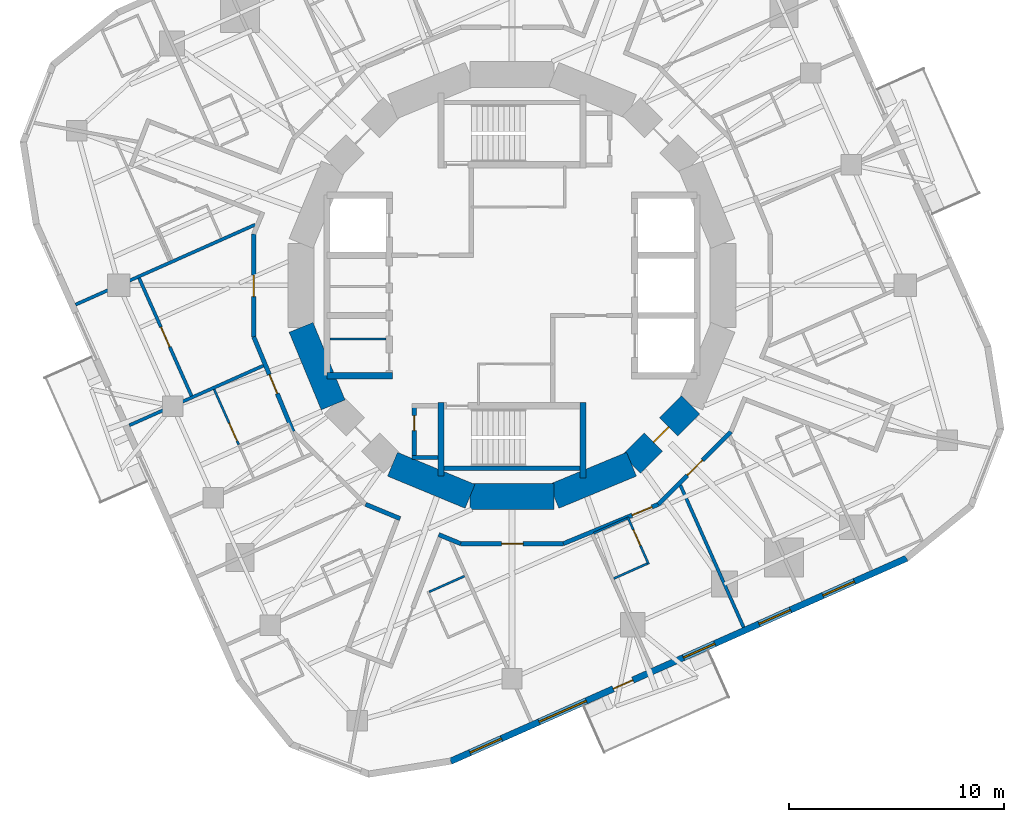
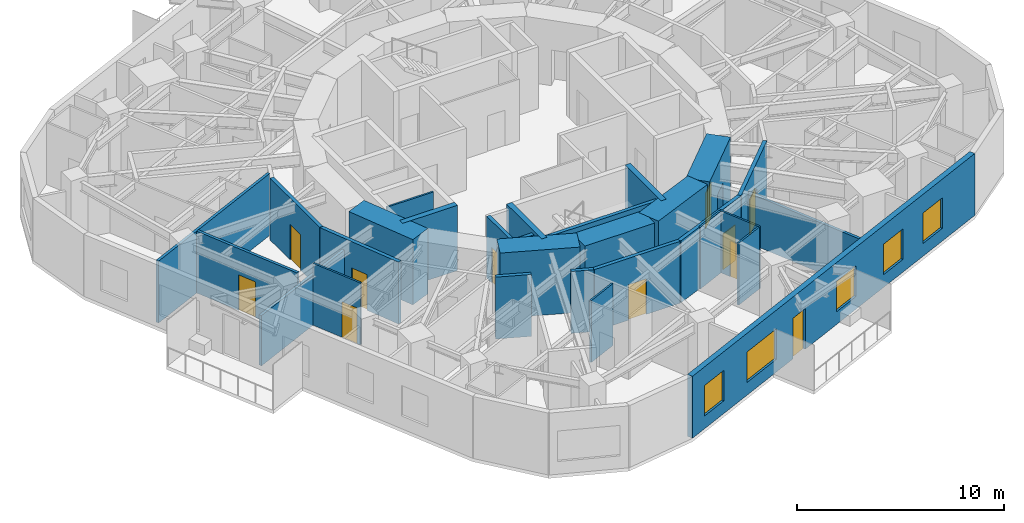
# One storey, part 5 of 12: 29 walls, 11 doors, 5 windows, 16 openings.
"""IFC4 building model written with IfcOpenShell, lengths in metres."""

from ifc_helpers import new_model, si_unit, direction, frame, frame_2d, origin, place, context, subcontext, project, spatial, rectangle, extrude, material, layer, layer_set, type_object, element, fill, save


model = new_model("IFC4")

# Units and contexts
model_context = context("Model", 3, precision=1e-05, world=origin(), true_north=direction((0.0, 1.0)))
body_context = subcontext(model_context, "Body", "Model", "MODEL_VIEW")
ifc_project = project(units=[si_unit("LENGTHUNIT", "METRE"), si_unit("AREAUNIT", "SQUARE_METRE"), si_unit("VOLUMEUNIT", "CUBIC_METRE"), si_unit("PLANEANGLEUNIT", "RADIAN"), si_unit("MASSUNIT", "GRAM", prefix="KILO")], contexts=[model_context])

# Site, building, storey
site_placement = place(None, origin())
site = spatial("IfcSite", under=ifc_project, at=site_placement, CompositionType="ELEMENT")
building_placement = place(site_placement, origin())
building = spatial("IfcBuilding", under=site, at=building_placement, Name="Nakasero Lantern House", CompositionType="ELEMENT")
storey_placement = place(building_placement, frame((0.0, 0.0, 209.39990234375)))
storey = spatial("IfcBuildingStorey", under=building, at=storey_placement, Name="L51", CompositionType="ELEMENT", Elevation=209.39990234375)

# Walls
ifc_material_1 = material(Name="Concrete C50/60", Category="concrete")
ifc_layer_1 = layer(ifc_material_1, 0.300048828125)
ifc_layer_set_1 = layer_set([ifc_layer_1], Name="Core inner wall 300")
wall_type_1 = type_object("IfcWallType", Name="Core inner wall 300", PredefinedType="SHEAR", material=ifc_layer_set_1)
wall_1_placement = place(storey_placement, frame((-8.60009765625, -4.199951171875, 0.0), z_axis=(0.0, 0.0, 1.0), x_axis=(1.0, 0.0, 0.0)))
element("IfcWall", 1, at=wall_1_placement, inside=storey, type_object=wall_type_1, Name="Core inner wall L51 LWS", PredefinedType="SHEAR", context=body_context, shape_type="SweptSolid", body=[
    extrude(rectangle(XDim=3.050048828125, YDim=0.300048828125, at=frame_2d((1.52490234375, 0.0))), origin(), (0.0, 0.0, 1.0), 3.85009765625),
])
wall_2_placement = place(storey_placement, frame((-3.300048828125, -5.449951171875, 0.0), z_axis=(0.0, 0.0, 1.0), x_axis=(0.0, -1.0, 0.0)))
element("IfcWall", 2, at=wall_2_placement, inside=storey, type_object=wall_type_1, Name="Core inner wall L51 SSW", PredefinedType="SHEAR", context=body_context, shape_type="SweptSolid", body=[
    extrude(rectangle(XDim=3.400146484375, YDim=0.300048828125, at=frame_2d((1.7001953125, 0.0))), origin(), (0.0, 0.0, 1.0), 3.85009765625),
])
wall_3_placement = place(storey_placement, frame((3.300048828125, -5.449951171875, 0.0), z_axis=(0.0, 0.0, 1.0), x_axis=(0.0, -1.0, 0.0)))
element("IfcWall", 3, at=wall_3_placement, inside=storey, type_object=wall_type_1, Name="Core inner wall L51 SSE", PredefinedType="SHEAR", context=body_context, shape_type="SweptSolid", body=[
    extrude(rectangle(XDim=3.5, YDim=0.300048828125, at=frame_2d((1.75, 0.0))), origin(), (0.0, 0.0, 1.0), 3.85009765625),
])
ifc_material_2 = material(Name="Blockwork", Category="masonry")
ifc_layer_2 = layer(ifc_material_2, 0.10009765625)
ifc_layer_set_2 = layer_set([ifc_layer_2], Name="Core room wall 100")
wall_type_2 = type_object("IfcWallType", Name="Core room wall 100", PredefinedType="PARTITIONING", material=ifc_layer_set_2)
wall_4_placement = place(storey_placement, frame((-8.449951171875, -2.5, 0.0), z_axis=(0.0, 0.0, 1.0), x_axis=(1.0, 0.0, 0.0)))
element("IfcWall", 4, at=wall_4_placement, inside=storey, type_object=wall_type_2, Name="Core room wall L51 CR-SH-LW1b", PredefinedType="PARTITIONING", context=body_context, shape_type="SweptSolid", body=[
    extrude(rectangle(XDim=2.599853515625, YDim=0.10009765625, at=frame_2d((1.2998046875, 0.0))), origin(), (0.0, 0.0, 1.0), 3.650146484375),
])
ifc_material_3 = material(Name="Concrete C50/60", Category="concrete")
ifc_layer_3 = layer(ifc_material_3, 1.199951171875)
ifc_layer_set_3 = layer_set([ifc_layer_3], Name="Core wall 1200")
wall_type_3 = type_object("IfcWallType", Name="Core wall 1200", PredefinedType="SHEAR", material=ifc_layer_set_3)
for number, where, z_axis, x_axis, name in (
    (5, (-9.807861328125, -1.950927734375, 0.0), (0.0, 0.0, 1.0), (0.382690736062, -0.923876507187, 0.0), "Core wall L51 facet 9"),
    (6, (-5.5556640625, -8.314697265625, 0.0), (0.0, 0.0, 1.0), (0.923876507187, -0.382690736062, 0.0), "Core wall L51 facet 11"),
    (7, (-1.950927734375, -9.807861328125, 0.0), (0.0, 0.0, 1.0), (1.0, 0.0, 0.0), "Core wall L51 facet 12"),
    (8, (1.950927734375, -9.807861328125, 0.0), (0.0, 0.0, 1.0), (0.923876507187, 0.382690736062, 0.0), "Core wall L51 facet 13"),
):
    element("IfcWall", number, at=place(storey_placement, frame(where, z_axis=z_axis, x_axis=x_axis)), inside=storey, type_object=wall_type_3, Name=name, PredefinedType="SHEAR", context=body_context, shape_type="SweptSolid", body=[
        extrude(rectangle(XDim=3.90185546875, YDim=1.199951171875, at=frame_2d((1.950927734375, 0.0))), origin(), (0.0, 0.0, 1.0), 3.85009765625),
    ])

# Wall, opening, door
wall_5_placement = place(storey_placement, frame((5.5556640625, -8.314697265625, 0.0), z_axis=(0.0, 0.0, 1.0), x_axis=(0.707106781187, 0.707106781187, 0.0)))
wall_5 = element("IfcWall", 9, at=wall_5_placement, inside=storey, type_object=wall_type_3, Name="Core wall L51 facet 14", PredefinedType="SHEAR", context=body_context, shape_type="SweptSolid", body=[
    extrude(rectangle(XDim=3.90185546875, YDim=1.199951171875, at=frame_2d((1.950927734375, 0.0))), origin(), (0.0, 0.0, 1.0), 3.85009765625),
])
opening_1_placement = place(wall_5_placement, frame((1.450927734375, 0.0, 0.0)))
opening_1 = element("IfcOpeningElement", 10, at=opening_1_placement, cuts=wall_5, Name="Opening D05", PredefinedType="OPENING", context=body_context, shape_type="SweptSolid", body=[
    extrude(rectangle(XDim=1.0, YDim=2.10009765625, at=frame_2d((0.5, 1.050048828125))), frame((0.0, 0.619873046875, 0.0), z_axis=(0.0, -1.0, 0.0), x_axis=(1.0, 0.0, 0.0)), (0.0, 0.0, 1.0), 1.239990234375),
])
ifc_material_4 = material(Name="Timber C24", Category="wood")
door_type_1 = type_object("IfcDoorType", Name="Core door FD60S 1000", OperationType="SINGLE_SWING_LEFT", PredefinedType="DOOR", material=ifc_material_4)
door_1_placement = place(opening_1_placement, origin())
door_1 = element("IfcDoor", 11, at=door_1_placement, inside=storey, type_object=door_type_1, Name="Door L51 D-CORE14", OperationType="SINGLE_SWING_LEFT", OverallHeight=2.10009765625, OverallWidth=1.0, PredefinedType="DOOR", context=body_context, shape_type="SweptSolid", body=[
    extrude(rectangle(XDim=1.0, YDim=2.10009765625, at=frame_2d((0.5, 1.050048828125))), frame((0.0, 0.02490234375, 0.0), z_axis=(0.0, -1.0, 0.0), x_axis=(1.0, 0.0, 0.0)), (0.0, 0.0, 1.0), 0.050048828125),
])
fill(opening_1, door_1)

ifc_material_5 = material(Name="Blockwork", Category="masonry")
ifc_layer_4 = layer(ifc_material_5, 0.199951171875)
ifc_layer_set_4 = layer_set([ifc_layer_4], Name="Corridor wall 200")
wall_type_4 = type_object("IfcWallType", Name="Corridor wall 200", PredefinedType="PARTITIONING", material=ifc_layer_set_4)
wall_6_placement = place(storey_placement, frame((10.1796875, -6.802001953125, 0.0), z_axis=(0.0, 0.0, 1.0), x_axis=(-0.707106781187, -0.707106781187, 0.0)))
wall_6 = element("IfcWall", 12, at=wall_6_placement, inside=storey, type_object=wall_type_4, Name="Corridor wall L51 RC02a", PredefinedType="PARTITIONING", context=body_context, shape_type="SweptSolid", body=[
    extrude(rectangle(XDim=4.77685546875, YDim=0.199951171875, at=frame_2d((2.388427734375, 0.0))), origin(), (0.0, 0.0, 1.0), 3.650146484375),
])
opening_2_placement = place(wall_6_placement, frame((1.8701171875, 0.0, 0.0)))
opening_2 = element("IfcOpeningElement", 13, at=opening_2_placement, cuts=wall_6, Name="Opening D14", PredefinedType="OPENING", context=body_context, shape_type="SweptSolid", body=[
    extrude(rectangle(XDim=1.0, YDim=2.10009765625, at=frame_2d((0.5, 1.050048828125))), frame((0.0, 0.119873046875, 0.0), z_axis=(0.0, -1.0, 0.0), x_axis=(1.0, 0.0, 0.0)), (0.0, 0.0, 1.0), 0.239990234375),
])
ifc_material_6 = material(Name="Timber C24", Category="wood")
door_type_2 = type_object("IfcDoorType", Name="Cluster entrance door FD30S 1000", OperationType="SINGLE_SWING_LEFT", PredefinedType="DOOR", material=ifc_material_6)
door_2_placement = place(opening_2_placement, origin())
door_2 = element("IfcDoor", 14, at=door_2_placement, inside=storey, type_object=door_type_2, Name="Door L51 D3-04", OperationType="SINGLE_SWING_LEFT", OverallHeight=2.10009765625, OverallWidth=1.0, PredefinedType="DOOR", context=body_context, shape_type="SweptSolid", body=[
    extrude(rectangle(XDim=1.0, YDim=2.10009765625, at=frame_2d((0.5, 1.050048828125))), frame((0.0, 0.02490234375, 0.0), z_axis=(0.0, -1.0, 0.0), x_axis=(1.0, 0.0, 0.0)), (0.0, 0.0, 1.0), 0.050048828125),
])
fill(opening_2, door_2)

wall_7_placement = place(storey_placement, frame((6.802001953125, -10.1796875, 0.0), z_axis=(0.0, 0.0, 1.0), x_axis=(-0.923882292998, -0.382676767893, 0.0)))
wall_7 = element("IfcWall", 15, at=wall_7_placement, inside=storey, type_object=wall_type_4, Name="Corridor wall L51 RC03a", PredefinedType="PARTITIONING", context=body_context, shape_type="SweptSolid", body=[
    extrude(rectangle(XDim=4.777099609375, YDim=0.199951171875, at=frame_2d((2.388671875, 0.0))), origin(), (0.0, 0.0, 1.0), 3.650146484375),
])
opening_3_placement = place(wall_7_placement, frame((0.320068359375, 0.0, 0.0)))
opening_3 = element("IfcOpeningElement", 16, at=opening_3_placement, cuts=wall_7, Name="Opening D07", PredefinedType="OPENING", context=body_context, shape_type="SweptSolid", body=[
    extrude(rectangle(XDim=1.0, YDim=2.10009765625, at=frame_2d((0.5, 1.050048828125))), frame((0.0, 0.119873046875, 0.0), z_axis=(0.0, -1.0, 0.0), x_axis=(1.0, 0.0, 0.0)), (0.0, 0.0, 1.0), 0.239990234375),
])
ifc_material_7 = material(Name="Timber C24", Category="wood")
door_type_3 = type_object("IfcDoorType", Name="Room door FD30S 1000", OperationType="SINGLE_SWING_LEFT", PredefinedType="DOOR", material=ifc_material_7)
door_3_placement = place(opening_3_placement, origin())
door_3 = element("IfcDoor", 17, at=door_3_placement, inside=storey, type_object=door_type_3, Name="Door L51 D3-03", OperationType="SINGLE_SWING_LEFT", OverallHeight=2.10009765625, OverallWidth=1.0, PredefinedType="DOOR", context=body_context, shape_type="SweptSolid", body=[
    extrude(rectangle(XDim=1.0, YDim=2.10009765625, at=frame_2d((0.5, 1.050048828125))), frame((0.0, 0.02490234375, 0.0), z_axis=(0.0, -1.0, 0.0), x_axis=(1.0, 0.0, 0.0)), (0.0, 0.0, 1.0), 0.050048828125),
])
fill(opening_3, door_3)

wall_8_placement = place(storey_placement, frame((2.388427734375, -12.0078125, 0.0), z_axis=(0.0, 0.0, 1.0), x_axis=(-1.0, 0.0, 0.0)))
wall_8 = element("IfcWall", 18, at=wall_8_placement, inside=storey, type_object=wall_type_4, Name="Corridor wall L51 RC04a", PredefinedType="PARTITIONING", context=body_context, shape_type="SweptSolid", body=[
    extrude(rectangle(XDim=4.77685546875, YDim=0.199951171875, at=frame_2d((2.388427734375, 0.0))), origin(), (0.0, 0.0, 1.0), 3.650146484375),
])
opening_4_placement = place(wall_8_placement, frame((1.8701171875, 0.0, 0.0)))
opening_4 = element("IfcOpeningElement", 19, at=opening_4_placement, cuts=wall_8, Name="Opening D03", PredefinedType="OPENING", context=body_context, shape_type="SweptSolid", body=[
    extrude(rectangle(XDim=1.0, YDim=2.10009765625, at=frame_2d((0.5, 1.050048828125))), frame((0.0, 0.119873046875, 0.0), z_axis=(0.0, -1.0, 0.0), x_axis=(1.0, 0.0, 0.0)), (0.0, 0.0, 1.0), 0.239990234375),
])
ifc_material_8 = material(Name="Timber C24", Category="wood")
door_type_4 = type_object("IfcDoorType", Name="Lounge door FD30S 1000", OperationType="SINGLE_SWING_LEFT", PredefinedType="DOOR", material=ifc_material_8)
door_4_placement = place(opening_4_placement, origin())
door_4 = element("IfcDoor", 20, at=door_4_placement, inside=storey, type_object=door_type_4, Name="Door L51 DK3", OperationType="SINGLE_SWING_LEFT", OverallHeight=2.10009765625, OverallWidth=1.0, PredefinedType="DOOR", context=body_context, shape_type="SweptSolid", body=[
    extrude(rectangle(XDim=1.0, YDim=2.10009765625, at=frame_2d((0.5, 1.050048828125))), frame((0.0, 0.02490234375, 0.0), z_axis=(0.0, -1.0, 0.0), x_axis=(1.0, 0.0, 0.0)), (0.0, 0.0, 1.0), 0.050048828125),
])
fill(opening_4, door_4)

# Walls
wall_9_placement = place(storey_placement, frame((-2.388427734375, -12.0078125, 0.0), z_axis=(0.0, 0.0, 1.0), x_axis=(-0.923892830031, 0.382651327736, 0.0)))
element("IfcWall", 21, at=wall_9_placement, inside=storey, type_object=wall_type_4, Name="Corridor wall L51 RC05a", PredefinedType="PARTITIONING", context=body_context, shape_type="SweptSolid", body=[
    extrude(rectangle(XDim=1.103759765625, YDim=0.199951171875, at=frame_2d((0.5517578125, 0.0))), origin(), (0.0, 0.0, 1.0), 3.650146484375),
])
wall_10_placement = place(storey_placement, frame((-5.201171875, -10.8427734375, 0.0), z_axis=(0.0, 0.0, 1.0), x_axis=(-0.923879449244, 0.382683633391, 0.0)))
element("IfcWall", 22, at=wall_10_placement, inside=storey, type_object=wall_type_4, Name="Corridor wall L51 RC05b", PredefinedType="PARTITIONING", context=body_context, shape_type="SweptSolid", body=[
    extrude(rectangle(XDim=1.732666015625, YDim=0.199951171875, at=frame_2d((0.8662109375, 0.0))), origin(), (0.0, 0.0, 1.0), 3.650146484375),
])

# Wall, opening, door
wall_11_placement = place(storey_placement, frame((-10.1796875, -6.802001953125, 0.0), z_axis=(0.0, 0.0, 1.0), x_axis=(-0.382676767893, 0.923882292998, 0.0)))
wall_11 = element("IfcWall", 23, at=wall_11_placement, inside=storey, type_object=wall_type_4, Name="Corridor wall L51 RC07a", PredefinedType="PARTITIONING", context=body_context, shape_type="SweptSolid", body=[
    extrude(rectangle(XDim=4.777099609375, YDim=0.199951171875, at=frame_2d((2.388671875, 0.0))), origin(), (0.0, 0.0, 1.0), 3.650146484375),
])
opening_5_placement = place(wall_11_placement, frame((1.919921875, 0.0, 0.0)))
opening_5 = element("IfcOpeningElement", 24, at=opening_5_placement, cuts=wall_11, Name="Opening D01", PredefinedType="OPENING", context=body_context, shape_type="SweptSolid", body=[
    extrude(rectangle(XDim=0.949951171875, YDim=2.10009765625, at=frame_2d((0.47509765625, 1.050048828125))), frame((0.0, 0.119873046875, 0.0), z_axis=(0.0, -1.0, 0.0), x_axis=(1.0, 0.0, 0.0)), (0.0, 0.0, 1.0), 0.239990234375),
])
ifc_material_9 = material(Name="Timber C24", Category="wood")
door_type_5 = type_object("IfcDoorType", Name="Bedroom door FD30S 950", OperationType="SINGLE_SWING_LEFT", PredefinedType="DOOR", material=ifc_material_9)
door_5_placement = place(opening_5_placement, origin())
door_5 = element("IfcDoor", 25, at=door_5_placement, inside=storey, type_object=door_type_5, Name="Door L51 D2-03", OperationType="SINGLE_SWING_RIGHT", OverallHeight=2.10009765625, OverallWidth=0.949951171875, PredefinedType="DOOR", context=body_context, shape_type="SweptSolid", body=[
    extrude(rectangle(XDim=0.949951171875, YDim=2.10009765625, at=frame_2d((0.47509765625, 1.050048828125))), frame((0.0, 0.02490234375, 0.0), z_axis=(0.0, -1.0, 0.0), x_axis=(1.0, 0.0, 0.0)), (0.0, 0.0, 1.0), 0.050048828125),
])
fill(opening_5, door_5)

wall_12_placement = place(storey_placement, frame((-12.0078125, -2.388427734375, 0.0), z_axis=(0.0, 0.0, 1.0), x_axis=(0.0, 1.0, 0.0)))
wall_12 = element("IfcWall", 26, at=wall_12_placement, inside=storey, type_object=wall_type_4, Name="Corridor wall L51 RC08a", PredefinedType="PARTITIONING", context=body_context, shape_type="SweptSolid", body=[
    extrude(rectangle(XDim=4.77685546875, YDim=0.199951171875, at=frame_2d((2.388427734375, 0.0))), origin(), (0.0, 0.0, 1.0), 3.650146484375),
])
opening_6_placement = place(wall_12_placement, frame((1.8701171875, 0.0, 0.0)))
opening_6 = element("IfcOpeningElement", 27, at=opening_6_placement, cuts=wall_12, Name="Opening D03", PredefinedType="OPENING", context=body_context, shape_type="SweptSolid", body=[
    extrude(rectangle(XDim=1.0, YDim=2.10009765625, at=frame_2d((0.5, 1.050048828125))), frame((0.0, 0.119873046875, 0.0), z_axis=(0.0, -1.0, 0.0), x_axis=(1.0, 0.0, 0.0)), (0.0, 0.0, 1.0), 0.239990234375),
])
door_6_placement = place(opening_6_placement, origin())
door_6 = element("IfcDoor", 28, at=door_6_placement, inside=storey, type_object=door_type_4, Name="Door L51 DK2", OperationType="SINGLE_SWING_LEFT", OverallHeight=2.10009765625, OverallWidth=1.0, PredefinedType="DOOR", context=body_context, shape_type="SweptSolid", body=[
    extrude(rectangle(XDim=1.0, YDim=2.10009765625, at=frame_2d((0.5, 1.050048828125))), frame((0.0, 0.02490234375, 0.0), z_axis=(0.0, -1.0, 0.0), x_axis=(1.0, 0.0, 0.0)), (0.0, 0.0, 1.0), 0.050048828125),
])
fill(opening_6, door_6)

# Wall
ifc_material_10 = material(Name="Blockwork", Category="masonry")
ifc_layer_5 = layer(ifc_material_10, 0.10009765625)
ifc_layer_set_5 = layer_set([ifc_layer_5], Name="En-suite wall 100")
wall_type_5 = type_object("IfcWallType", Name="En-suite wall 100", PredefinedType="PARTITIONING", material=ifc_layer_set_5)
wall_13_placement = place(storey_placement, frame((-3.84814453125, -14.246826171875, 0.0), z_axis=(0.0, 0.0, 1.0), x_axis=(0.913576462288, 0.406666998358, 0.0)))
element("IfcWall", 29, at=wall_13_placement, inside=storey, type_object=wall_type_5, Name="En-suite wall L51 EI3-00", PredefinedType="PARTITIONING", context=body_context, shape_type="SweptSolid", body=[
    extrude(rectangle(XDim=1.7998046875, YDim=0.10009765625, at=frame_2d((0.89990234375, 0.0))), origin(), (0.0, 0.0, 1.0), 3.650146484375),
])

# Wall, opening, door
wall_14_placement = place(storey_placement, frame((5.376953125, -10.7685546875, 0.0), z_axis=(0.0, 0.0, 1.0), x_axis=(0.406685806039, -0.913568090055, 0.0)))
wall_14 = element("IfcWall", 30, at=wall_14_placement, inside=storey, type_object=wall_type_5, Name="En-suite wall L51 ES3-03", PredefinedType="PARTITIONING", context=body_context, shape_type="SweptSolid", body=[
    extrude(rectangle(XDim=2.400146484375, YDim=0.10009765625, at=frame_2d((1.2001953125, 0.0))), origin(), (0.0, 0.0, 1.0), 3.650146484375),
])
opening_7_placement = place(wall_14_placement, frame((0.64990234375, 0.0, 0.0)))
opening_7 = element("IfcOpeningElement", 31, at=opening_7_placement, cuts=wall_14, Name="Opening D15", PredefinedType="OPENING", context=body_context, shape_type="SweptSolid", body=[
    extrude(rectangle(XDim=0.800048828125, YDim=2.10009765625, at=frame_2d((0.39990234375, 1.050048828125))), frame((0.0, 0.070068359375, 0.0), z_axis=(0.0, -1.0, 0.0), x_axis=(1.0, 0.0, 0.0)), (0.0, 0.0, 1.0), 0.14013671875),
])
ifc_material_11 = material(Name="Timber C24", Category="wood")
door_type_6 = type_object("IfcDoorType", Name="Cleaner's store door FD30S 800", OperationType="SINGLE_SWING_LEFT", PredefinedType="DOOR", material=ifc_material_11)
door_7_placement = place(opening_7_placement, origin())
door_7 = element("IfcDoor", 32, at=door_7_placement, inside=storey, type_object=door_type_6, Name="Door L51 DE3-03", OperationType="SINGLE_SWING_LEFT", OverallHeight=2.10009765625, OverallWidth=0.800048828125, PredefinedType="DOOR", context=body_context, shape_type="SweptSolid", body=[
    extrude(rectangle(XDim=0.800048828125, YDim=2.10009765625, at=frame_2d((0.39990234375, 1.050048828125))), frame((0.0, 0.02490234375, 0.0), z_axis=(0.0, -1.0, 0.0), x_axis=(1.0, 0.0, 0.0)), (0.0, 0.0, 1.0), 0.050048828125),
])
fill(opening_7, door_7)

# Walls
for number, where, z_axis, x_axis, name in (
    (33, (4.734130859375, -13.627197265625, 0.0), (0.0, 0.0, 1.0), (0.913550776237, 0.406724697108, 0.0), "En-suite wall L51 EE3-03"),
    (34, (3.798583984375, -11.526123046875, 0.0), (0.0, 0.0, 1.0), (0.913550776237, 0.406724697108, 0.0), "En-suite wall L51 EI3-03"),
):
    element("IfcWall", number, at=place(storey_placement, frame(where, z_axis=z_axis, x_axis=x_axis)), inside=storey, type_object=wall_type_5, Name=name, PredefinedType="PARTITIONING", context=body_context, shape_type="SweptSolid", body=[
        extrude(rectangle(XDim=1.699951171875, YDim=0.10009765625, at=frame_2d((0.85009765625, 0.0))), origin(), (0.0, 0.0, 1.0), 3.650146484375),
    ])

# Wall, opening, door
wall_15_placement = place(storey_placement, frame((-13.848388671875, -4.83251953125, 0.0), z_axis=(0.0, 0.0, 1.0), x_axis=(0.406701600856, -0.913561058639, 0.0)))
wall_15 = element("IfcWall", 35, at=wall_15_placement, inside=storey, type_object=wall_type_5, Name="En-suite wall L51 EL2-03", PredefinedType="PARTITIONING", context=body_context, shape_type="SweptSolid", body=[
    extrude(rectangle(XDim=2.8154296875, YDim=0.10009765625, at=frame_2d((1.40771484375, 0.0))), origin(), (0.0, 0.0, 1.0), 3.650146484375),
])
opening_8_placement = place(wall_15_placement, frame((1.71533203125, 0.0, 0.0)))
opening_8 = element("IfcOpeningElement", 36, at=opening_8_placement, cuts=wall_15, Name="Opening D17", PredefinedType="OPENING", context=body_context, shape_type="SweptSolid", body=[
    extrude(rectangle(XDim=0.89990234375, YDim=2.10009765625, at=frame_2d((0.449951171875, 1.050048828125))), frame((0.0, 0.070068359375, 0.0), z_axis=(0.0, -1.0, 0.0), x_axis=(1.0, 0.0, 0.0)), (0.0, 0.0, 1.0), 0.14013671875),
])
ifc_material_12 = material(Name="Timber C24", Category="wood")
door_type_7 = type_object("IfcDoorType", Name="Bedroom door FD30S 900", OperationType="SINGLE_SWING_LEFT", PredefinedType="DOOR", material=ifc_material_12)
door_8_placement = place(opening_8_placement, origin())
door_8 = element("IfcDoor", 37, at=door_8_placement, inside=storey, type_object=door_type_7, Name="Door L51 DL2-03", OperationType="SINGLE_SWING_RIGHT", OverallHeight=2.10009765625, OverallWidth=0.89990234375, PredefinedType="DOOR", context=body_context, shape_type="SweptSolid", body=[
    extrude(rectangle(XDim=0.89990234375, YDim=2.10009765625, at=frame_2d((0.449951171875, 1.050048828125))), frame((0.0, 0.02490234375, 0.0), z_axis=(0.0, -1.0, 0.0), x_axis=(1.0, 0.0, 0.0)), (0.0, 0.0, 1.0), 0.050048828125),
])
fill(opening_8, door_8)

# Wall, openings, door, windows
ifc_material_13 = material(Name="Aluminium rainscreen on blockwork", Category="masonry")
ifc_layer_6 = layer(ifc_material_13, 0.300048828125)
ifc_layer_set_6 = layer_set([ifc_layer_6], Name="Facade wall 300")
wall_type_6 = type_object("IfcWallType", Name="Facade wall 300", PredefinedType="SOLIDWALL", material=ifc_layer_set_6)
wall_16_placement = place(storey_placement, frame((-2.848876953125, -22.12109375, 0.0), z_axis=(0.0, 0.0, 1.0), x_axis=(0.913546210851, 0.406734951338, 0.0)))
wall_16 = element("IfcWall", 38, at=wall_16_placement, inside=storey, type_object=wall_type_6, Name="Facade wall L51 FW3S", PredefinedType="SOLIDWALL", context=body_context, shape_type="SweptSolid", body=[
    extrude(rectangle(XDim=23.199951171875, YDim=0.300048828125, at=frame_2d((11.60009765625, 0.0))), origin(), (0.0, 0.0, 1.0), 3.650146484375),
])
opening_9_placement = place(wall_16_placement, frame((0.982421875, 0.0, 0.75)))
opening_9 = element("IfcOpeningElement", 39, at=opening_9_placement, cuts=wall_16, Name="Opening W01", PredefinedType="OPENING", context=body_context, shape_type="SweptSolid", body=[
    extrude(rectangle(XDim=1.60009765625, YDim=1.800048828125, at=frame_2d((0.800048828125, 0.89990234375))), frame((0.0, 0.169921875, 0.0), z_axis=(0.0, -1.0, 0.0), x_axis=(1.0, 0.0, 0.0)), (0.0, 0.0, 1.0), 0.340087890625),
])
opening_10_placement = place(wall_16_placement, frame((11.83984375, 0.0, 0.75)))
opening_10 = element("IfcOpeningElement", 40, at=opening_10_placement, cuts=wall_16, Name="Opening W01", PredefinedType="OPENING", context=body_context, shape_type="SweptSolid", body=[
    extrude(rectangle(XDim=1.60009765625, YDim=1.800048828125, at=frame_2d((0.800048828125, 0.89990234375))), frame((0.0, 0.169921875, 0.0), z_axis=(0.0, -1.0, 0.0), x_axis=(1.0, 0.0, 0.0)), (0.0, 0.0, 1.0), 0.340087890625),
])
opening_11_placement = place(wall_16_placement, frame((15.69140625, 0.0, 0.75)))
opening_11 = element("IfcOpeningElement", 41, at=opening_11_placement, cuts=wall_16, Name="Opening W01", PredefinedType="OPENING", context=body_context, shape_type="SweptSolid", body=[
    extrude(rectangle(XDim=1.60009765625, YDim=1.800048828125, at=frame_2d((0.800048828125, 0.89990234375))), frame((0.0, 0.169921875, 0.0), z_axis=(0.0, -1.0, 0.0), x_axis=(1.0, 0.0, 0.0)), (0.0, 0.0, 1.0), 0.340087890625),
])
opening_12_placement = place(wall_16_placement, frame((18.940185546875, 0.0, 0.75)))
opening_12 = element("IfcOpeningElement", 42, at=opening_12_placement, cuts=wall_16, Name="Opening W01", PredefinedType="OPENING", context=body_context, shape_type="SweptSolid", body=[
    extrude(rectangle(XDim=1.60009765625, YDim=1.800048828125, at=frame_2d((0.800048828125, 0.89990234375))), frame((0.0, 0.169921875, 0.0), z_axis=(0.0, -1.0, 0.0), x_axis=(1.0, 0.0, 0.0)), (0.0, 0.0, 1.0), 0.340087890625),
])
opening_13_placement = place(wall_16_placement, frame((4.500244140625, 0.0, 0.75)))
opening_13 = element("IfcOpeningElement", 43, at=opening_13_placement, cuts=wall_16, Name="Opening W03", PredefinedType="OPENING", context=body_context, shape_type="SweptSolid", body=[
    extrude(rectangle(XDim=2.39990234375, YDim=1.800048828125, at=frame_2d((1.199951171875, 0.89990234375))), frame((0.0, 0.169921875, 0.0), z_axis=(0.0, -1.0, 0.0), x_axis=(1.0, 0.0, 0.0)), (0.0, 0.0, 1.0), 0.340087890625),
])
opening_14_placement = place(wall_16_placement, frame((8.271484375, 0.0, 0.0)))
opening_14 = element("IfcOpeningElement", 44, at=opening_14_placement, cuts=wall_16, Name="Opening D04", PredefinedType="OPENING", context=body_context, shape_type="SweptSolid", body=[
    extrude(rectangle(XDim=1.0, YDim=2.39990234375, at=frame_2d((0.5, 1.199951171875))), frame((0.0, 0.169921875, 0.0), z_axis=(0.0, -1.0, 0.0), x_axis=(1.0, 0.0, 0.0)), (0.0, 0.0, 1.0), 0.340087890625),
])
ifc_material_14 = material(Name="Aluminium 6063-T6 and glass", Category="aluminium")
door_type_8 = type_object("IfcDoorType", Name="Balcony door 1000x2400", OperationType="SINGLE_SWING_RIGHT", PredefinedType="DOOR", material=ifc_material_14)
door_9_placement = place(opening_14_placement, origin())
door_9 = element("IfcDoor", 45, at=door_9_placement, inside=storey, type_object=door_type_8, Name="Balcony door L51 DB3", OperationType="SINGLE_SWING_RIGHT", OverallHeight=2.39990234375, OverallWidth=1.0, PredefinedType="DOOR", context=body_context, shape_type="SweptSolid", body=[
    extrude(rectangle(XDim=1.0, YDim=2.39990234375, at=frame_2d((0.5, 1.199951171875))), frame((0.0, 0.02490234375, 0.0), z_axis=(0.0, -1.0, 0.0), x_axis=(1.0, 0.0, 0.0)), (0.0, 0.0, 1.0), 0.050048828125),
])
fill(opening_14, door_9)
ifc_material_15 = material(Name="Aluminium 6063-T6 and glass", Category="aluminium")
window_type_1 = type_object("IfcWindowType", Name="Bedroom window 1600x1800", PartitioningType="SINGLE_PANEL", PredefinedType="WINDOW", material=ifc_material_15)
window_1_placement = place(opening_9_placement, origin())
window_1 = element("IfcWindow", 46, at=window_1_placement, inside=storey, type_object=window_type_1, Name="Window L51 WN3-00", OverallHeight=1.800048828125, OverallWidth=1.60009765625, PartitioningType="SINGLE_PANEL", PredefinedType="WINDOW", context=body_context, shape_type="SweptSolid", body=[
    extrude(rectangle(XDim=1.60009765625, YDim=1.800048828125, at=frame_2d((0.800048828125, 0.89990234375))), frame((0.0, 0.030029296875, 0.0), z_axis=(0.0, -1.0, 0.0), x_axis=(1.0, 0.0, 0.0)), (0.0, 0.0, 1.0), 0.06005859375),
])
fill(opening_9, window_1)
window_2_placement = place(opening_10_placement, origin())
window_2 = element("IfcWindow", 47, at=window_2_placement, inside=storey, type_object=window_type_1, Name="Window L51 WN3-03", OverallHeight=1.800048828125, OverallWidth=1.60009765625, PartitioningType="SINGLE_PANEL", PredefinedType="WINDOW", context=body_context, shape_type="SweptSolid", body=[
    extrude(rectangle(XDim=1.60009765625, YDim=1.800048828125, at=frame_2d((0.800048828125, 0.89990234375))), frame((0.0, 0.030029296875, 0.0), z_axis=(0.0, -1.0, 0.0), x_axis=(1.0, 0.0, 0.0)), (0.0, 0.0, 1.0), 0.06005859375),
])
fill(opening_10, window_2)
window_3_placement = place(opening_11_placement, origin())
window_3 = element("IfcWindow", 48, at=window_3_placement, inside=storey, type_object=window_type_1, Name="Window L51 WN3-04", OverallHeight=1.800048828125, OverallWidth=1.60009765625, PartitioningType="SINGLE_PANEL", PredefinedType="WINDOW", context=body_context, shape_type="SweptSolid", body=[
    extrude(rectangle(XDim=1.60009765625, YDim=1.800048828125, at=frame_2d((0.800048828125, 0.89990234375))), frame((0.0, 0.030029296875, 0.0), z_axis=(0.0, -1.0, 0.0), x_axis=(1.0, 0.0, 0.0)), (0.0, 0.0, 1.0), 0.06005859375),
])
fill(opening_11, window_3)
window_4_placement = place(opening_12_placement, origin())
window_4 = element("IfcWindow", 49, at=window_4_placement, inside=storey, type_object=window_type_1, Name="Window L51 WN3-05", OverallHeight=1.800048828125, OverallWidth=1.60009765625, PartitioningType="SINGLE_PANEL", PredefinedType="WINDOW", context=body_context, shape_type="SweptSolid", body=[
    extrude(rectangle(XDim=1.60009765625, YDim=1.800048828125, at=frame_2d((0.800048828125, 0.89990234375))), frame((0.0, 0.030029296875, 0.0), z_axis=(0.0, -1.0, 0.0), x_axis=(1.0, 0.0, 0.0)), (0.0, 0.0, 1.0), 0.06005859375),
])
fill(opening_12, window_4)
ifc_material_16 = material(Name="Aluminium 6063-T6 and glass", Category="aluminium")
window_type_2 = type_object("IfcWindowType", Name="Lounge window 2400x1800", PartitioningType="SINGLE_PANEL", PredefinedType="WINDOW", material=ifc_material_16)
window_5_placement = place(opening_13_placement, origin())
window_5 = element("IfcWindow", 50, at=window_5_placement, inside=storey, type_object=window_type_2, Name="Window L51 WK3", OverallHeight=1.800048828125, OverallWidth=2.39990234375, PartitioningType="SINGLE_PANEL", PredefinedType="WINDOW", context=body_context, shape_type="SweptSolid", body=[
    extrude(rectangle(XDim=2.39990234375, YDim=1.800048828125, at=frame_2d((1.199951171875, 0.89990234375))), frame((0.0, 0.030029296875, 0.0), z_axis=(0.0, -1.0, 0.0), x_axis=(1.0, 0.0, 0.0)), (0.0, 0.0, 1.0), 0.06005859375),
])
fill(opening_13, window_5)

# Wall, opening, door
ifc_material_17 = material(Name="Blockwork", Category="masonry")
ifc_layer_7 = layer(ifc_material_17, 0.199951171875)
ifc_layer_set_7 = layer_set([ifc_layer_7], Name="Fire lobby wall 200")
wall_type_7 = type_object("IfcWallType", Name="Fire lobby wall 200", PredefinedType="PARTITIONING", material=ifc_layer_set_7)
wall_17_placement = place(storey_placement, frame((-4.550048828125, -5.60009765625, 0.0), z_axis=(0.0, 0.0, 1.0), x_axis=(0.0, -1.0, 0.0)))
wall_17 = element("IfcWall", 51, at=wall_17_placement, inside=storey, type_object=wall_type_7, Name="Fire lobby wall L51 W-RS2W", PredefinedType="PARTITIONING", context=body_context, shape_type="SweptSolid", body=[
    extrude(rectangle(XDim=2.39990234375, YDim=0.199951171875, at=frame_2d((1.199951171875, 0.0))), origin(), (0.0, 0.0, 1.0), 3.650146484375),
])
opening_15_placement = place(wall_17_placement, frame((0.449951171875, 0.0, 0.0)))
opening_15 = element("IfcOpeningElement", 52, at=opening_15_placement, cuts=wall_17, Name="Opening D06", PredefinedType="OPENING", context=body_context, shape_type="SweptSolid", body=[
    extrude(rectangle(XDim=0.699951171875, YDim=2.10009765625, at=frame_2d((0.35009765625, 1.050048828125))), frame((0.0, 0.119873046875, 0.0), z_axis=(0.0, -1.0, 0.0), x_axis=(1.0, 0.0, 0.0)), (0.0, 0.0, 1.0), 0.239990234375),
])
ifc_material_18 = material(Name="Steel S355", Category="steel")
door_type_9 = type_object("IfcDoorType", Name="Riser door FD60 700", OperationType="SINGLE_SWING_LEFT", PredefinedType="DOOR", material=ifc_material_18)
door_10_placement = place(opening_15_placement, origin())
door_10 = element("IfcDoor", 53, at=door_10_placement, inside=storey, type_object=door_type_9, Name="Door L51 D-RS2", OperationType="SINGLE_SWING_LEFT", OverallHeight=2.10009765625, OverallWidth=0.699951171875, PredefinedType="DOOR", context=body_context, shape_type="SweptSolid", body=[
    extrude(rectangle(XDim=0.699951171875, YDim=2.10009765625, at=frame_2d((0.35009765625, 1.050048828125))), frame((0.0, 0.02490234375, 0.0), z_axis=(0.0, -1.0, 0.0), x_axis=(1.0, 0.0, 0.0)), (0.0, 0.0, 1.0), 0.050048828125),
])
fill(opening_15, door_10)

# Walls
wall_18_placement = place(storey_placement, frame((-3.449951171875, -8.0, 0.0), z_axis=(0.0, 0.0, 1.0), x_axis=(-1.0, 0.0, 0.0)))
element("IfcWall", 54, at=wall_18_placement, inside=storey, type_object=wall_type_7, Name="Fire lobby wall L51 W-RS2S", PredefinedType="PARTITIONING", context=body_context, shape_type="SweptSolid", body=[
    extrude(rectangle(XDim=1.199951171875, YDim=0.199951171875, at=frame_2d((0.60009765625, 0.0))), origin(), (0.0, 0.0, 1.0), 3.650146484375),
])
wall_19_placement = place(storey_placement, frame((-3.300048828125, -8.5, 0.0), z_axis=(0.0, 0.0, 1.0), x_axis=(1.0, 0.0, 0.0)))
element("IfcWall", 55, at=wall_19_placement, inside=storey, type_object=wall_type_7, Name="Fire lobby wall L51 W-STS", PredefinedType="PARTITIONING", context=body_context, shape_type="SweptSolid", body=[
    extrude(rectangle(XDim=6.60009765625, YDim=0.199951171875, at=frame_2d((3.300048828125, 0.0))), origin(), (0.0, 0.0, 1.0), 3.650146484375),
])
ifc_material_19 = material(Name="Blockwork", Category="masonry")
ifc_layer_8 = layer(ifc_material_19, 0.14990234375)
ifc_layer_set_8 = layer_set([ifc_layer_8], Name="Party wall 150")
wall_type_8 = type_object("IfcWallType", Name="Party wall 150", PredefinedType="PARTITIONING", material=ifc_layer_set_8)
wall_20_placement = place(storey_placement, frame((-11.935302734375, 2.824951171875, 0.0), z_axis=(0.0, 0.0, 1.0), x_axis=(-0.91355156837, -0.40672291788, 0.0)))
element("IfcWall", 56, at=wall_20_placement, inside=storey, type_object=wall_type_8, Name="Party wall L51 PW2-01", PredefinedType="PARTITIONING", context=body_context, shape_type="SweptSolid", body=[
    extrude(rectangle(XDim=9.1455078125, YDim=0.14990234375, at=frame_2d((4.57275390625, 0.0))), origin(), (0.0, 0.0, 1.0), 3.650146484375),
])
wall_21_placement = place(storey_placement, frame((-11.559814453125, -3.7314453125, 0.0), z_axis=(0.0, 0.0, 1.0), x_axis=(-0.913544226514, -0.406739408224, 0.0)))
element("IfcWall", 57, at=wall_21_placement, inside=storey, type_object=wall_type_8, Name="Party wall L51 PW2-03", PredefinedType="PARTITIONING", context=body_context, shape_type="SweptSolid", body=[
    extrude(rectangle(XDim=6.82177734375, YDim=0.14990234375, at=frame_2d((3.410888671875, 0.0))), origin(), (0.0, 0.0, 1.0), 2.966552734375),
])
wall_22_placement = place(storey_placement, frame((7.829345703125, -9.293701171875, 0.0), z_axis=(0.0, 0.0, 1.0), x_axis=(0.406759125496, -0.913535447493, 0.0)))
element("IfcWall", 58, at=wall_22_placement, inside=storey, type_object=wall_type_8, Name="Party wall L51 PW3-04", PredefinedType="PARTITIONING", context=body_context, shape_type="SweptSolid", body=[
    extrude(rectangle(XDim=7.225341796875, YDim=0.14990234375, at=frame_2d((3.61279296875, 0.0))), origin(), (0.0, 0.0, 1.0), 2.957275390625),
])

# Wall, opening, door
wall_23_placement = place(storey_placement, frame((-17.34033203125, 0.347412109375, 0.0), z_axis=(0.0, 0.0, 1.0), x_axis=(0.406711058405, -0.913556848243, 0.0)))
wall_23 = element("IfcWall", 59, at=wall_23_placement, inside=storey, type_object=wall_type_8, Name="Party wall L51 KQ2", PredefinedType="PARTITIONING", context=body_context, shape_type="SweptSolid", body=[
    extrude(rectangle(XDim=6.012451171875, YDim=0.14990234375, at=frame_2d((3.00634765625, 0.0))), origin(), (0.0, 0.0, 1.0), 3.650146484375),
])
opening_16_placement = place(wall_23_placement, frame((2.506103515625, 0.0, 0.0)))
opening_16 = element("IfcOpeningElement", 60, at=opening_16_placement, cuts=wall_23, Name="Opening D03", PredefinedType="OPENING", context=body_context, shape_type="SweptSolid", body=[
    extrude(rectangle(XDim=1.0, YDim=2.10009765625, at=frame_2d((0.5, 1.050048828125))), frame((0.0, 0.094970703125, 0.0), z_axis=(0.0, -1.0, 0.0), x_axis=(1.0, 0.0, 0.0)), (0.0, 0.0, 1.0), 0.18994140625),
])
door_11_placement = place(opening_16_placement, origin())
door_11 = element("IfcDoor", 61, at=door_11_placement, inside=storey, type_object=door_type_4, Name="Door L51 DKQ2", OperationType="SINGLE_SWING_LEFT", OverallHeight=2.10009765625, OverallWidth=1.0, PredefinedType="DOOR", context=body_context, shape_type="SweptSolid", body=[
    extrude(rectangle(XDim=1.0, YDim=2.10009765625, at=frame_2d((0.5, 1.050048828125))), frame((0.0, 0.02490234375, 0.0), z_axis=(0.0, -1.0, 0.0), x_axis=(1.0, 0.0, 0.0)), (0.0, 0.0, 1.0), 0.050048828125),
])
fill(opening_16, door_11)

save(model, "model.ifc")
